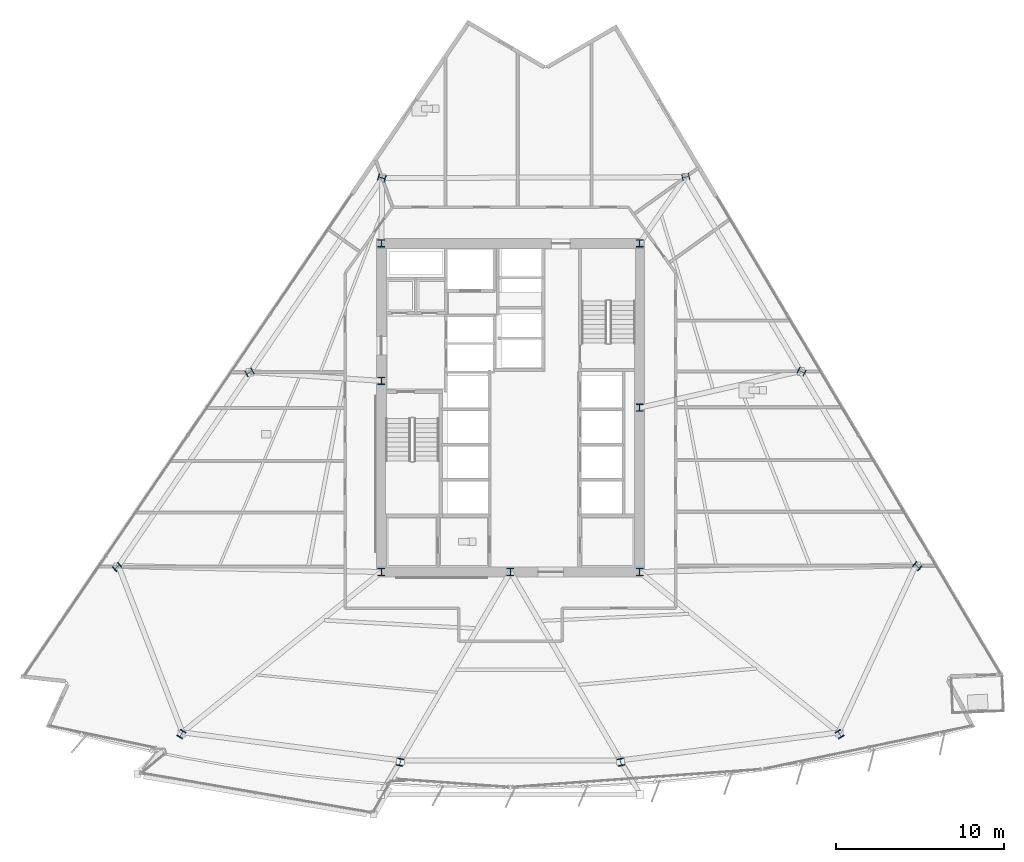
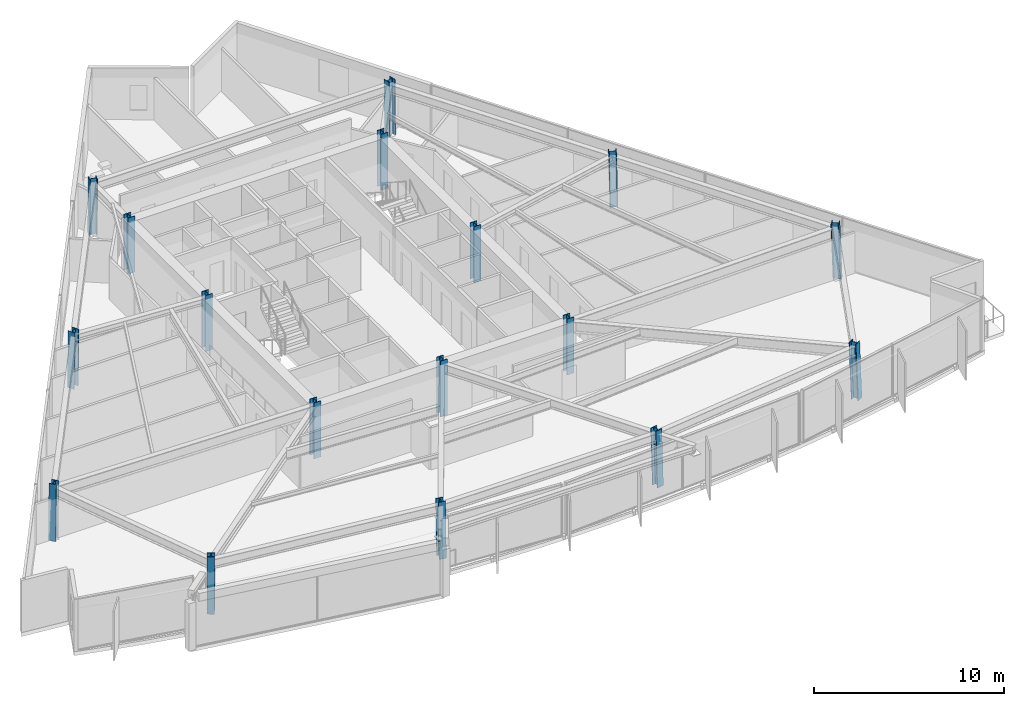
# One storey, part 1 of 17: 17 columns.
"""IFC4 building model written with IfcOpenShell, lengths in metres."""

from ifc_helpers import new_model, si_unit, direction, frame, origin, origin_2d, place, context, subcontext, project, spatial, i_section, extrude, material, material_profile, profile_set, type_object, element, save


model = new_model("IFC4")

# Units and contexts
model_context = context("Model", 3, precision=1e-05, world=origin(), true_north=direction((0.0, 1.0)))
body_context = subcontext(model_context, "Body", "Model", "MODEL_VIEW")
ifc_project = project(units=[si_unit("LENGTHUNIT", "METRE"), si_unit("AREAUNIT", "SQUARE_METRE"), si_unit("VOLUMEUNIT", "CUBIC_METRE"), si_unit("PLANEANGLEUNIT", "RADIAN"), si_unit("MASSUNIT", "GRAM", prefix="KILO")], contexts=[model_context])

# Site, building, storey
site_placement = place(None, origin())
site = spatial("IfcSite", under=ifc_project, at=site_placement, CompositionType="ELEMENT")
building_placement = place(site_placement, origin())
building = spatial("IfcBuilding", under=site, at=building_placement, Name="Savorim Split Tower", CompositionType="ELEMENT")
storey_placement = place(building_placement, frame((0.0, 0.0, 62.39990234375)))
storey = spatial("IfcBuildingStorey", under=building, at=storey_placement, Name="L16", CompositionType="ELEMENT", Elevation=62.39990234375)

# Columns
ifc_material = material(Name="Steel S460", Category="steel")
ifc_material_profile_1 = material_profile(ifc_material, i_section(OverallWidth=0.412109375, OverallDepth=0.43505859375, WebThickness=0.022705078125, FlangeThickness=0.037109375, FilletRadius=0.014892578125, at=origin_2d()), Name="HD 400x463")
ifc_profile_set_1 = profile_set([ifc_material_profile_1], Name="Steel S460")
column_type_1 = type_object("IfcColumnType", Name="COL-HD-463", PredefinedType="COLUMN", material=ifc_profile_set_1)
column_1_placement = place(storey_placement, frame((-19.6416015625, -19.085205078125, 0.005615234375), z_axis=(0.020596292833, 0.033511459955, 0.999226087917), x_axis=(-0.851954850327, 0.523615252838, 0.0)))
element("IfcColumn", 1, at=column_1_placement, inside=storey, type_object=column_type_1, Name="L16 Tapered Perimeter Column PC-S1", PredefinedType="COLUMN", context=body_context, shape_type="SweptSolid", body=[
    extrude(i_section(OverallWidth=0.412109375, OverallDepth=0.43505859375, WebThickness=0.022705078125, FlangeThickness=0.037109375, FilletRadius=0.014892578125, at=origin_2d()), origin(), (0.0, 0.0, 1.0), 3.591552734375),
])
for number, where, z_axis, x_axis, name in (
    (2, (-6.5830078125, -20.76171875, 0.005615234375), (0.006934304776, 0.03521539092, 0.999355688261), (-0.981159154887, 0.193201223549, 0.0), "L16 Tapered Perimeter Column PC-S2"),
    (3, (6.5830078125, -20.76171875, 0.005615234375), (-0.006934304776, 0.03521539092, 0.999355688261), (-0.981159154887, -0.193201223549, 0.0), "L16 Tapered Perimeter Column PC-S3"),
):
    element("IfcColumn", number, at=place(storey_placement, frame(where, z_axis=z_axis, x_axis=x_axis)), inside=storey, type_object=column_type_1, Name=name, PredefinedType="COLUMN", context=body_context, shape_type="SweptSolid", body=[
        extrude(i_section(OverallWidth=0.412109375, OverallDepth=0.43505859375, WebThickness=0.022705078125, FlangeThickness=0.037109375, FilletRadius=0.014892578125, at=origin_2d()), origin(), (0.0, 0.0, 1.0), 3.591064453125),
    ])
column_2_placement = place(storey_placement, frame((19.6416015625, -19.085205078125, 0.005615234375), z_axis=(-0.020596292833, 0.033511459955, 0.999226087917), x_axis=(-0.851954850327, -0.523615252838, 0.0)))
element("IfcColumn", 4, at=column_2_placement, inside=storey, type_object=column_type_1, Name="L16 Tapered Perimeter Column PC-S4", PredefinedType="COLUMN", context=body_context, shape_type="SweptSolid", body=[
    extrude(i_section(OverallWidth=0.412109375, OverallDepth=0.43505859375, WebThickness=0.022705078125, FlangeThickness=0.037109375, FilletRadius=0.014892578125, at=origin_2d()), origin(), (0.0, 0.0, 1.0), 3.591552734375),
])
column_3_placement = place(storey_placement, frame((24.273681640625, -9.067138671875, 0.005615234375), z_axis=(-0.026039494941, 0.021620259507, 0.999427090428), x_axis=(-0.638800249892, -0.769372628015, 0.0)))
element("IfcColumn", 5, at=column_3_placement, inside=storey, type_object=column_type_1, Name="L16 Tapered Perimeter Column PC-E1", PredefinedType="COLUMN", context=body_context, shape_type="SweptSolid", body=[
    extrude(i_section(OverallWidth=0.412109375, OverallDepth=0.43505859375, WebThickness=0.022705078125, FlangeThickness=0.037109375, FilletRadius=0.014892578125, at=origin_2d()), origin(), (0.0, 0.0, 1.0), 3.5908203125),
])
column_4_placement = place(storey_placement, frame((17.368408203125, 2.5458984375, 0.005615234375), z_axis=(-0.018907326549, 0.00952167524, 0.999775900241), x_axis=(-0.449781931574, -0.893138406984, 0.0)))
element("IfcColumn", 6, at=column_4_placement, inside=storey, type_object=column_type_1, Name="L16 Tapered Perimeter Column PC-E2", PredefinedType="COLUMN", context=body_context, shape_type="SweptSolid", body=[
    extrude(i_section(OverallWidth=0.412109375, OverallDepth=0.43505859375, WebThickness=0.022705078125, FlangeThickness=0.037109375, FilletRadius=0.014892578125, at=origin_2d()), origin(), (0.0, 0.0, 1.0), 3.589599609375),
])
for number, where, z_axis, x_axis, name in (
    (7, (10.462890625, 14.158935546875, 0.005615234375), (-0.011699842352, -0.002516826552, 0.999928387072), (0.210305364179, -0.977635746993, 0.0), "L16 Tapered Perimeter Column PC-E3"),
    (8, (-7.675537109375, 14.110107421875, 0.005615234375), (0.00877514453, -0.002516901919, 0.999958330153), (0.275705143097, 0.961242255662, 0.0), "L16 Tapered Perimeter Column PC-W1"),
):
    element("IfcColumn", number, at=place(storey_placement, frame(where, z_axis=z_axis, x_axis=x_axis)), inside=storey, type_object=column_type_1, Name=name, PredefinedType="COLUMN", context=body_context, shape_type="SweptSolid", body=[
        extrude(i_section(OverallWidth=0.412109375, OverallDepth=0.43505859375, WebThickness=0.022705078125, FlangeThickness=0.037109375, FilletRadius=0.014892578125, at=origin_2d()), origin(), (0.0, 0.0, 1.0), 3.589111328125),
    ])
column_5_placement = place(storey_placement, frame((-15.57568359375, 2.4970703125, 0.005615234375), z_axis=(0.017003572908, 0.009522000828, 0.999810086971), x_axis=(-0.488603368932, 0.87250601595, 0.0)))
element("IfcColumn", 9, at=column_5_placement, inside=storey, type_object=column_type_1, Name="L16 Tapered Perimeter Column PC-W2", PredefinedType="COLUMN", context=body_context, shape_type="SweptSolid", body=[
    extrude(i_section(OverallWidth=0.412109375, OverallDepth=0.43505859375, WebThickness=0.022705078125, FlangeThickness=0.037109375, FilletRadius=0.014892578125, at=origin_2d()), origin(), (0.0, 0.0, 1.0), 3.589599609375),
])
column_6_placement = place(storey_placement, frame((-23.475830078125, -9.115966796875, 0.005615234375), z_axis=(0.025224163578, 0.021620711639, 0.999447990843), x_axis=(-0.650791373456, 0.759256602365, 0.0)))
element("IfcColumn", 10, at=column_6_placement, inside=storey, type_object=column_type_1, Name="L16 Tapered Perimeter Column PC-W3", PredefinedType="COLUMN", context=body_context, shape_type="SweptSolid", body=[
    extrude(i_section(OverallWidth=0.412109375, OverallDepth=0.43505859375, WebThickness=0.022705078125, FlangeThickness=0.037109375, FilletRadius=0.014892578125, at=origin_2d()), origin(), (0.0, 0.0, 1.0), 3.5908203125),
])
ifc_material_profile_2 = material_profile(ifc_material, i_section(OverallWidth=0.416015625, OverallDepth=0.446044921875, WebThickness=0.02490234375, FlangeThickness=0.0400390625, FilletRadius=0.014892578125, at=origin_2d()), Name="HD 400x509")
ifc_profile_set_2 = profile_set([ifc_material_profile_2], Name="Steel S460")
column_type_2 = type_object("IfcColumnType", Name="COL-HD-509", PredefinedType="COLUMN", material=ifc_profile_set_2)
for number, where, z_axis, x_axis, name in (
    (11, (-7.699951171875, -9.39990234375, 0.0), (0.0, 0.0, 1.0), (1.0, 0.0, 0.0), "L16 Core Structural Column TC-C1"),
    (12, (7.699951171875, -9.39990234375, 0.0), (0.0, 0.0, 1.0), (1.0, 0.0, 0.0), "L16 Core Structural Column TC-C2"),
    (13, (7.699951171875, 10.199951171875, 0.0), (0.0, 0.0, 1.0), (1.0, 0.0, 0.0), "L16 Core Structural Column TC-C3"),
    (14, (-7.699951171875, 10.199951171875, 0.0), (0.0, 0.0, 1.0), (1.0, 0.0, 0.0), "L16 Core Structural Column TC-C4"),
    (15, (0.0, -9.39990234375, 0.0), (0.0, 0.0, 1.0), (1.0, 0.0, 0.0), "L16 Core Structural Column TC-C5"),
    (16, (7.699951171875, 0.39990234375, 0.0), (0.0, 0.0, 1.0), (1.0, 0.0, 0.0), "L16 Core Structural Column TC-C6"),
    (17, (-7.699951171875, 2.0, 0.0), (0.0, 0.0, 1.0), (1.0, 0.0, 0.0), "L16 Core Structural Column TC-C7"),
):
    element("IfcColumn", number, at=place(storey_placement, frame(where, z_axis=z_axis, x_axis=x_axis)), inside=storey, type_object=column_type_2, Name=name, PredefinedType="COLUMN", context=body_context, shape_type="SweptSolid", body=[
        extrude(i_section(OverallWidth=0.416015625, OverallDepth=0.446044921875, WebThickness=0.02490234375, FlangeThickness=0.0400390625, FilletRadius=0.014892578125, at=origin_2d()), origin(), (0.0, 0.0, 1.0), 3.60009765625),
    ])

save(model, "model.ifc")
